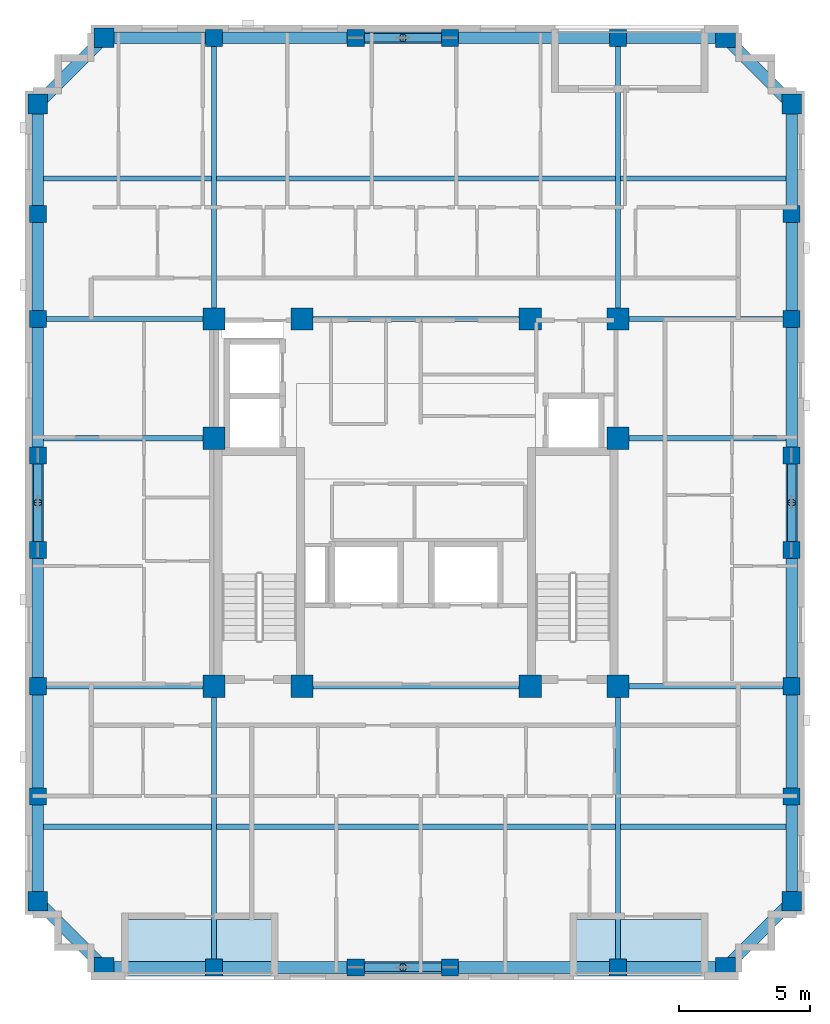
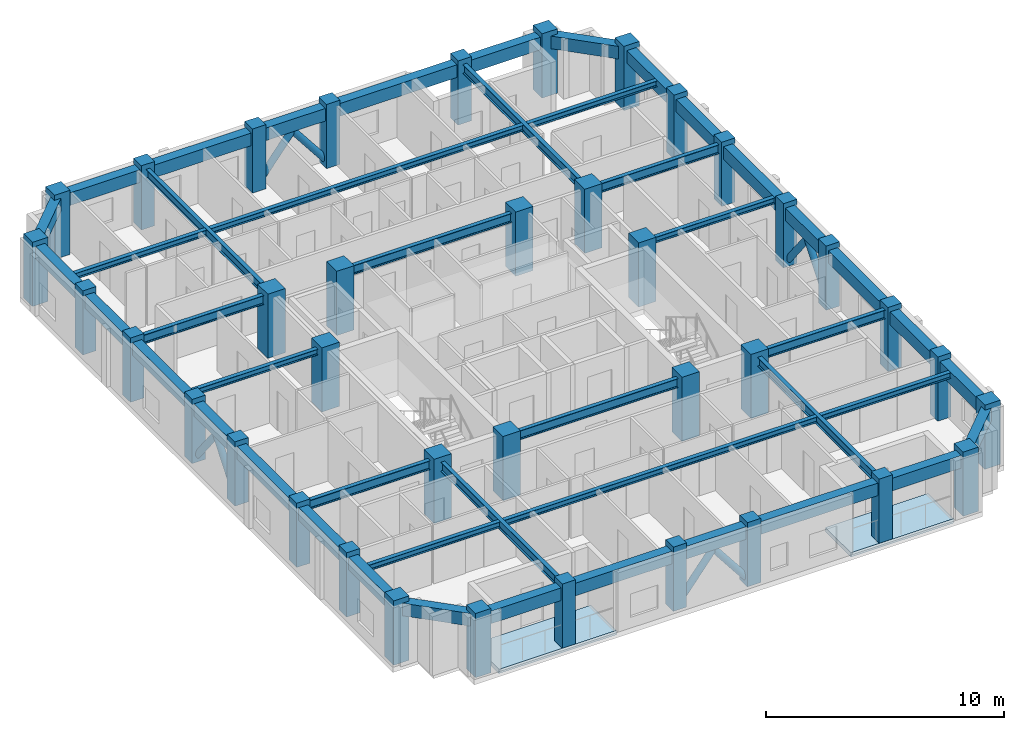
# One storey, part 1 of 11: 46 beams, 38 columns, 8 members, 2 slabs.
"""IFC4 building model written with IfcOpenShell, lengths in metres."""

from ifc_helpers import new_model, si_unit, derived_unit, direction, frame, origin, origin_2d, place, context, subcontext, project, spatial, polyline, rectangle, hollow_circle, i_section, outline, extrude, material, layer, layer_set, material_profile, profile_set, type_object, element, save


model = new_model("IFC4")

# Units and contexts
model_context = context("Model", 3, precision=1e-05, world=origin(), true_north=direction((0.0, 1.0)))
body_context = subcontext(model_context, "Body", "Model", "MODEL_VIEW")
ifc_project = project(units=[si_unit("LENGTHUNIT", "METRE"), si_unit("AREAUNIT", "SQUARE_METRE"), si_unit("VOLUMEUNIT", "CUBIC_METRE"), si_unit("PLANEANGLEUNIT", "RADIAN"), si_unit("MASSUNIT", "GRAM", prefix="KILO"), derived_unit("THERMALTRANSMITTANCEUNIT", [(si_unit("MASSUNIT", "GRAM", prefix="KILO"), 1), (si_unit("TIMEUNIT", "SECOND"), -3), (si_unit("THERMODYNAMICTEMPERATUREUNIT", "KELVIN"), -1)])], contexts=[model_context])

# Site, building, storey
site_placement = place(None, origin())
site = spatial("IfcSite", under=ifc_project, at=site_placement, CompositionType="ELEMENT")
building_placement = place(site_placement, origin())
building = spatial("IfcBuilding", under=site, at=building_placement, Name="Korrvale Station Residences", CompositionType="ELEMENT")
storey_placement = place(building_placement, frame((0.0, 0.0, 194.199951171875)))
storey = spatial("IfcBuildingStorey", under=building, at=storey_placement, Name="L56", CompositionType="ELEMENT", Elevation=194.199951171875)

# Columns
ifc_material_1 = material(Name="Concrete C50/60", Category="concrete")
ifc_material_profile_1 = material_profile(ifc_material_1, rectangle(XDim=0.64990234375, YDim=0.64990234375, at=origin_2d()), Name="RC650x650")
ifc_profile_set_1 = profile_set([ifc_material_profile_1], Name="Concrete C50/60")
column_type_1 = type_object("IfcColumnType", Name="COL-C-RC650x650-C5060", PredefinedType="COLUMN", material=ifc_profile_set_1)
for number, where, z_axis, x_axis, name in (
    (1, (17.800048828125, 4.280029296875, 0.0), (0.0, 0.0, 1.0), (1.0, 0.0, 0.0), "L56 Bundled-Tube South Column 02"),
    (2, (23.199951171875, 4.280029296875, 0.0), (0.0, 0.0, 1.0), (1.0, 0.0, 0.0), "L56 Bundled-Tube South Column 03"),
    (3, (26.800048828125, 4.280029296875, 0.0), (0.0, 0.0, 1.0), (1.0, 0.0, 0.0), "L56 Bundled-Tube South Column 04"),
    (4, (33.199951171875, 4.280029296875, 0.0), (0.0, 0.0, 1.0), (1.0, 0.0, 0.0), "L56 Bundled-Tube South Column 05"),
    (5, (17.800048828125, 39.719970703125, 0.0), (0.0, 0.0, 1.0), (1.0, 0.0, 0.0), "L56 Bundled-Tube North Column 08"),
    (6, (23.199951171875, 39.719970703125, 0.0), (0.0, 0.0, 1.0), (1.0, 0.0, 0.0), "L56 Bundled-Tube North Column 09"),
    (7, (26.800048828125, 39.719970703125, 0.0), (0.0, 0.0, 1.0), (1.0, 0.0, 0.0), "L56 Bundled-Tube North Column 10"),
    (8, (33.199951171875, 39.719970703125, 0.0), (0.0, 0.0, 1.0), (1.0, 0.0, 0.0), "L56 Bundled-Tube North Column 11"),
    (9, (11.080078125, 10.800048828125, 0.0), (0.0, 0.0, 1.0), (1.0, 0.0, 0.0), "L56 Bundled-Tube West Column 14"),
    (10, (11.080078125, 15.0, 0.0), (0.0, 0.0, 1.0), (1.0, 0.0, 0.0), "L56 Bundled-Tube West Column 15"),
    (11, (11.080078125, 20.199951171875, 0.0), (0.0, 0.0, 1.0), (1.0, 0.0, 0.0), "L56 Bundled-Tube West Column 16"),
    (12, (11.080078125, 23.800048828125, 0.0), (0.0, 0.0, 1.0), (1.0, 0.0, 0.0), "L56 Bundled-Tube West Column 17"),
    (13, (11.080078125, 29.0, 0.0), (0.0, 0.0, 1.0), (1.0, 0.0, 0.0), "L56 Bundled-Tube West Column 18"),
    (14, (11.080078125, 33.0, 0.0), (0.0, 0.0, 1.0), (1.0, 0.0, 0.0), "L56 Bundled-Tube West Column 19"),
    (15, (39.820068359375, 10.800048828125, 0.0), (0.0, 0.0, 1.0), (1.0, 0.0, 0.0), "L56 Bundled-Tube East Column 22"),
    (16, (39.820068359375, 15.0, 0.0), (0.0, 0.0, 1.0), (1.0, 0.0, 0.0), "L56 Bundled-Tube East Column 23"),
    (17, (39.820068359375, 20.199951171875, 0.0), (0.0, 0.0, 1.0), (1.0, 0.0, 0.0), "L56 Bundled-Tube East Column 24"),
    (18, (39.820068359375, 23.800048828125, 0.0), (0.0, 0.0, 1.0), (1.0, 0.0, 0.0), "L56 Bundled-Tube East Column 25"),
    (19, (39.820068359375, 29.0, 0.0), (0.0, 0.0, 1.0), (1.0, 0.0, 0.0), "L56 Bundled-Tube East Column 26"),
    (20, (39.820068359375, 33.0, 0.0), (0.0, 0.0, 1.0), (1.0, 0.0, 0.0), "L56 Bundled-Tube East Column 27"),
):
    element("IfcColumn", number, at=place(storey_placement, frame(where, z_axis=z_axis, x_axis=x_axis)), inside=storey, type_object=column_type_1, Name=name, PredefinedType="COLUMN", context=body_context, shape_type="SweptSolid", body=[
        extrude(rectangle(XDim=0.64990234375, YDim=0.64990234375, at=origin_2d()), origin(), (0.0, 0.0, 1.0), 3.300048828125),
    ])
ifc_material_profile_2 = material_profile(ifc_material_1, rectangle(XDim=0.75, YDim=0.75, at=origin_2d()), Name="RC750x750")
ifc_profile_set_2 = profile_set([ifc_material_profile_2], Name="Concrete C50/60")
column_type_2 = type_object("IfcColumnType", Name="COL-C-RC750x750-C5060", PredefinedType="COLUMN", material=ifc_profile_set_2)
for number, where, z_axis, x_axis, name in (
    (21, (13.60009765625, 4.280029296875, 0.0), (0.0, 0.0, 1.0), (1.0, 0.0, 0.0), "L56 Bundled-Tube South Column 01"),
    (22, (37.300048828125, 4.280029296875, 0.0), (0.0, 0.0, 1.0), (1.0, 0.0, 0.0), "L56 Bundled-Tube South Column 06"),
    (23, (13.60009765625, 39.719970703125, 0.0), (0.0, 0.0, 1.0), (1.0, 0.0, 0.0), "L56 Bundled-Tube North Column 07"),
    (24, (37.300048828125, 39.719970703125, 0.0), (0.0, 0.0, 1.0), (1.0, 0.0, 0.0), "L56 Bundled-Tube North Column 12"),
    (25, (11.080078125, 6.800048828125, 0.0), (0.0, 0.0, 1.0), (1.0, 0.0, 0.0), "L56 Bundled-Tube West Column 13"),
    (26, (11.080078125, 37.199951171875, 0.0), (0.0, 0.0, 1.0), (1.0, 0.0, 0.0), "L56 Bundled-Tube West Column 20"),
    (27, (39.820068359375, 6.800048828125, 0.0), (0.0, 0.0, 1.0), (1.0, 0.0, 0.0), "L56 Bundled-Tube East Column 21"),
    (28, (39.820068359375, 37.199951171875, 0.0), (0.0, 0.0, 1.0), (1.0, 0.0, 0.0), "L56 Bundled-Tube East Column 28"),
):
    element("IfcColumn", number, at=place(storey_placement, frame(where, z_axis=z_axis, x_axis=x_axis)), inside=storey, type_object=column_type_2, Name=name, PredefinedType="COLUMN", context=body_context, shape_type="SweptSolid", body=[
        extrude(rectangle(XDim=0.75, YDim=0.75, at=origin_2d()), origin(), (0.0, 0.0, 1.0), 3.300048828125),
    ])
ifc_material_profile_3 = material_profile(ifc_material_1, rectangle(XDim=0.85009765625, YDim=0.85009765625, at=origin_2d()), Name="RC850x850")
ifc_profile_set_3 = profile_set([ifc_material_profile_3], Name="Concrete C50/60")
column_type_3 = type_object("IfcColumnType", Name="COL-C-RC850x850-C5060", PredefinedType="COLUMN", material=ifc_profile_set_3)
for number, where, z_axis, x_axis, name in (
    (29, (17.800048828125, 15.0, 0.0), (0.0, 0.0, 1.0), (1.0, 0.0, 0.0), "L56 Core Column 01"),
    (30, (21.14990234375, 15.0, 0.0), (0.0, 0.0, 1.0), (1.0, 0.0, 0.0), "L56 Core Column 02"),
    (31, (29.85009765625, 15.0, 0.0), (0.0, 0.0, 1.0), (1.0, 0.0, 0.0), "L56 Core Column 03"),
    (32, (33.199951171875, 15.0, 0.0), (0.0, 0.0, 1.0), (1.0, 0.0, 0.0), "L56 Core Column 04"),
    (33, (17.800048828125, 29.0, 0.0), (0.0, 0.0, 1.0), (1.0, 0.0, 0.0), "L56 Core Column 05"),
    (34, (21.14990234375, 29.0, 0.0), (0.0, 0.0, 1.0), (1.0, 0.0, 0.0), "L56 Core Column 06"),
    (35, (29.85009765625, 29.0, 0.0), (0.0, 0.0, 1.0), (1.0, 0.0, 0.0), "L56 Core Column 07"),
    (36, (33.199951171875, 29.0, 0.0), (0.0, 0.0, 1.0), (1.0, 0.0, 0.0), "L56 Core Column 08"),
    (37, (17.800048828125, 24.449951171875, 0.0), (0.0, 0.0, 1.0), (1.0, 0.0, 0.0), "L56 Core Column 09"),
    (38, (33.199951171875, 24.449951171875, 0.0), (0.0, 0.0, 1.0), (1.0, 0.0, 0.0), "L56 Core Column 10"),
):
    element("IfcColumn", number, at=place(storey_placement, frame(where, z_axis=z_axis, x_axis=x_axis)), inside=storey, type_object=column_type_3, Name=name, PredefinedType="COLUMN", context=body_context, shape_type="SweptSolid", body=[
        extrude(rectangle(XDim=0.85009765625, YDim=0.85009765625, at=origin_2d()), origin(), (0.0, 0.0, 1.0), 3.300048828125),
    ])

# Beams
ifc_material_2 = material(Name="Steel S355", Category="steel")
ifc_material_profile_4 = material_profile(ifc_material_2, i_section(OverallWidth=0.194091796875, OverallDepth=0.468994140625, WebThickness=0.0126953125, FlangeThickness=0.0205078125, FilletRadius=0.01611328125, at=origin_2d()), Name="W460x106")
ifc_profile_set_4 = profile_set([ifc_material_profile_4], Name="Steel S355")
beam_type_1 = type_object("IfcBeamType", Name="BM-BM-W460x106-S355", PredefinedType="BEAM", material=ifc_profile_set_4)
for number, where, z_axis, x_axis, name in (
    (39, (17.800048828125, 4.280029296875, 2.8056640625), (0.0, 1.0, 0.0), (-1.0, 0.0, 0.0), "L56 Bundled-Tube Web Girder 01"),
    (40, (33.199951171875, 4.280029296875, 2.8056640625), (0.0, 1.0, 0.0), (-1.0, 0.0, 0.0), "L56 Bundled-Tube Web Girder 02"),
    (41, (17.800048828125, 29.0, 2.8056640625), (0.0, 1.0, 0.0), (-1.0, 0.0, 0.0), "L56 Bundled-Tube Web Girder 03"),
    (42, (33.199951171875, 29.0, 2.8056640625), (0.0, 1.0, 0.0), (-1.0, 0.0, 0.0), "L56 Bundled-Tube Web Girder 04"),
):
    element("IfcBeam", number, at=place(storey_placement, frame(where, z_axis=z_axis, x_axis=x_axis)), inside=storey, type_object=beam_type_1, Name=name, PredefinedType="BEAM", context=body_context, shape_type="SweptSolid", body=[
        extrude(i_section(OverallWidth=0.194091796875, OverallDepth=0.468994140625, WebThickness=0.0126953125, FlangeThickness=0.0205078125, FilletRadius=0.01611328125, at=origin_2d()), origin(), (0.0, 0.0, 1.0), 10.719970703125),
    ])
beam_1_placement = place(storey_placement, frame((11.080078125, 15.0, 2.8056640625), z_axis=(1.0, 0.0, 0.0), x_axis=(0.0, 1.0, 0.0)))
element("IfcBeam", 43, at=beam_1_placement, inside=storey, type_object=beam_type_1, Name="L56 Bundled-Tube Web Girder 05", PredefinedType="BEAM", context=body_context, shape_type="SweptSolid", body=[
    extrude(i_section(OverallWidth=0.194091796875, OverallDepth=0.468994140625, WebThickness=0.0126953125, FlangeThickness=0.0205078125, FilletRadius=0.01611328125, at=origin_2d()), origin(), (0.0, 0.0, 1.0), 6.719970703125),
])
beam_2_placement = place(storey_placement, frame((33.199951171875, 15.0, 2.8056640625), z_axis=(1.0, 0.0, 0.0), x_axis=(0.0, 1.0, 0.0)))
element("IfcBeam", 44, at=beam_2_placement, inside=storey, type_object=beam_type_1, Name="L56 Bundled-Tube Web Girder 06", PredefinedType="BEAM", context=body_context, shape_type="SweptSolid", body=[
    extrude(i_section(OverallWidth=0.194091796875, OverallDepth=0.468994140625, WebThickness=0.0126953125, FlangeThickness=0.0205078125, FilletRadius=0.01611328125, at=origin_2d()), origin(), (0.0, 0.0, 1.0), 6.6201171875),
])
beam_3_placement = place(storey_placement, frame((11.080078125, 29.0, 2.8056640625), z_axis=(1.0, 0.0, 0.0), x_axis=(0.0, 1.0, 0.0)))
element("IfcBeam", 45, at=beam_3_placement, inside=storey, type_object=beam_type_1, Name="L56 Bundled-Tube Web Girder 07", PredefinedType="BEAM", context=body_context, shape_type="SweptSolid", body=[
    extrude(i_section(OverallWidth=0.194091796875, OverallDepth=0.468994140625, WebThickness=0.0126953125, FlangeThickness=0.0205078125, FilletRadius=0.01611328125, at=origin_2d()), origin(), (0.0, 0.0, 1.0), 6.719970703125),
])
beam_4_placement = place(storey_placement, frame((33.199951171875, 29.0, 2.8056640625), z_axis=(1.0, 0.0, 0.0), x_axis=(0.0, 1.0, 0.0)))
element("IfcBeam", 46, at=beam_4_placement, inside=storey, type_object=beam_type_1, Name="L56 Bundled-Tube Web Girder 08", PredefinedType="BEAM", context=body_context, shape_type="SweptSolid", body=[
    extrude(i_section(OverallWidth=0.194091796875, OverallDepth=0.468994140625, WebThickness=0.0126953125, FlangeThickness=0.0205078125, FilletRadius=0.01611328125, at=origin_2d()), origin(), (0.0, 0.0, 1.0), 6.6201171875),
])
for number, where, z_axis, x_axis, name in (
    (47, (21.14990234375, 15.0, 2.8056640625), (1.0, 0.0, 0.0), (0.0, 1.0, 0.0), "L56 Bundled-Tube Web Girder 09"),
    (48, (21.14990234375, 29.0, 2.8056640625), (1.0, 0.0, 0.0), (0.0, 1.0, 0.0), "L56 Bundled-Tube Web Girder 10"),
):
    element("IfcBeam", number, at=place(storey_placement, frame(where, z_axis=z_axis, x_axis=x_axis)), inside=storey, type_object=beam_type_1, Name=name, PredefinedType="BEAM", context=body_context, shape_type="SweptSolid", body=[
        extrude(i_section(OverallWidth=0.194091796875, OverallDepth=0.468994140625, WebThickness=0.0126953125, FlangeThickness=0.0205078125, FilletRadius=0.01611328125, at=origin_2d()), origin(), (0.0, 0.0, 1.0), 8.7001953125),
    ])
ifc_material_profile_5 = material_profile(ifc_material_2, i_section(OverallWidth=0.202880859375, OverallDepth=0.302978515625, WebThickness=0.007568359375, FlangeThickness=0.01318359375, FilletRadius=0.014892578125, at=origin_2d()), Name="W310x60")
ifc_profile_set_5 = profile_set([ifc_material_profile_5], Name="Steel S355")
beam_type_2 = type_object("IfcBeamType", Name="BM-JST-W310x60-S355", PredefinedType="JOIST", material=ifc_profile_set_5)
beam_5_placement = place(storey_placement, frame((11.304931640625, 9.639892578125, 2.888427734375), z_axis=(1.0, 0.0, 0.0), x_axis=(0.0, 1.0, 0.0)))
element("IfcBeam", 49, at=beam_5_placement, inside=storey, type_object=beam_type_2, Name="L56 Floor Framing Joist 01", PredefinedType="JOIST", context=body_context, shape_type="SweptSolid", body=[
    extrude(i_section(OverallWidth=0.202880859375, OverallDepth=0.302978515625, WebThickness=0.007568359375, FlangeThickness=0.01318359375, FilletRadius=0.014892578125, at=origin_2d()), origin(), (0.0, 0.0, 1.0), 6.39794921875),
])
beam_6_placement = place(storey_placement, frame((17.89697265625, 9.639892578125, 2.888427734375), z_axis=(1.0, 0.0, 0.0), x_axis=(0.0, 1.0, 0.0)))
element("IfcBeam", 50, at=beam_6_placement, inside=storey, type_object=beam_type_2, Name="L56 Floor Framing Joist 02", PredefinedType="JOIST", context=body_context, shape_type="SweptSolid", body=[
    extrude(i_section(OverallWidth=0.202880859375, OverallDepth=0.302978515625, WebThickness=0.007568359375, FlangeThickness=0.01318359375, FilletRadius=0.014892578125, at=origin_2d()), origin(), (0.0, 0.0, 1.0), 15.2060546875),
])
beam_7_placement = place(storey_placement, frame((33.297119140625, 9.639892578125, 2.888427734375), z_axis=(1.0, 0.0, 0.0), x_axis=(0.0, 1.0, 0.0)))
element("IfcBeam", 51, at=beam_7_placement, inside=storey, type_object=beam_type_2, Name="L56 Floor Framing Joist 03", PredefinedType="JOIST", context=body_context, shape_type="SweptSolid", body=[
    extrude(i_section(OverallWidth=0.202880859375, OverallDepth=0.302978515625, WebThickness=0.007568359375, FlangeThickness=0.01318359375, FilletRadius=0.014892578125, at=origin_2d()), origin(), (0.0, 0.0, 1.0), 6.2978515625),
])
beam_8_placement = place(storey_placement, frame((11.304931640625, 34.360107421875, 2.888427734375), z_axis=(1.0, 0.0, 0.0), x_axis=(0.0, 1.0, 0.0)))
element("IfcBeam", 52, at=beam_8_placement, inside=storey, type_object=beam_type_2, Name="L56 Floor Framing Joist 04", PredefinedType="JOIST", context=body_context, shape_type="SweptSolid", body=[
    extrude(i_section(OverallWidth=0.202880859375, OverallDepth=0.302978515625, WebThickness=0.007568359375, FlangeThickness=0.01318359375, FilletRadius=0.014892578125, at=origin_2d()), origin(), (0.0, 0.0, 1.0), 6.39794921875),
])
beam_9_placement = place(storey_placement, frame((17.89697265625, 34.360107421875, 2.888427734375), z_axis=(1.0, 0.0, 0.0), x_axis=(0.0, 1.0, 0.0)))
element("IfcBeam", 53, at=beam_9_placement, inside=storey, type_object=beam_type_2, Name="L56 Floor Framing Joist 05", PredefinedType="JOIST", context=body_context, shape_type="SweptSolid", body=[
    extrude(i_section(OverallWidth=0.202880859375, OverallDepth=0.302978515625, WebThickness=0.007568359375, FlangeThickness=0.01318359375, FilletRadius=0.014892578125, at=origin_2d()), origin(), (0.0, 0.0, 1.0), 15.2060546875),
])
beam_10_placement = place(storey_placement, frame((33.297119140625, 34.360107421875, 2.888427734375), z_axis=(1.0, 0.0, 0.0), x_axis=(0.0, 1.0, 0.0)))
element("IfcBeam", 54, at=beam_10_placement, inside=storey, type_object=beam_type_2, Name="L56 Floor Framing Joist 06", PredefinedType="JOIST", context=body_context, shape_type="SweptSolid", body=[
    extrude(i_section(OverallWidth=0.202880859375, OverallDepth=0.302978515625, WebThickness=0.007568359375, FlangeThickness=0.01318359375, FilletRadius=0.014892578125, at=origin_2d()), origin(), (0.0, 0.0, 1.0), 6.2978515625),
])
beam_11_placement = place(storey_placement, frame((33.199951171875, 24.449951171875, 2.888427734375), z_axis=(1.0, 0.0, 0.0), x_axis=(0.0, 1.0, 0.0)))
element("IfcBeam", 55, at=beam_11_placement, inside=storey, type_object=beam_type_2, Name="L56 Floor Framing Joist 07", PredefinedType="JOIST", context=body_context, shape_type="SweptSolid", body=[
    extrude(i_section(OverallWidth=0.202880859375, OverallDepth=0.302978515625, WebThickness=0.007568359375, FlangeThickness=0.01318359375, FilletRadius=0.014892578125, at=origin_2d()), origin(), (0.0, 0.0, 1.0), 6.39501953125),
])
beam_12_placement = place(storey_placement, frame((11.304931640625, 24.449951171875, 2.888427734375), z_axis=(1.0, 0.0, 0.0), x_axis=(0.0, 1.0, 0.0)))
element("IfcBeam", 56, at=beam_12_placement, inside=storey, type_object=beam_type_2, Name="L56 Floor Framing Joist 08", PredefinedType="JOIST", context=body_context, shape_type="SweptSolid", body=[
    extrude(i_section(OverallWidth=0.202880859375, OverallDepth=0.302978515625, WebThickness=0.007568359375, FlangeThickness=0.01318359375, FilletRadius=0.014892578125, at=origin_2d()), origin(), (0.0, 0.0, 1.0), 6.4951171875),
])
ifc_material_profile_6 = material_profile(ifc_material_1, rectangle(XDim=0.449951171875, YDim=0.64990234375, at=origin_2d()), Name="RCB450x650")
ifc_profile_set_6 = profile_set([ifc_material_profile_6], Name="Concrete C50/60")
beam_type_3 = type_object("IfcBeamType", Name="BM-SPB-RCB450x650-C5060", PredefinedType="SPANDREL", material=ifc_profile_set_6)
beam_13_placement = place(storey_placement, frame((13.60009765625, 4.280029296875, 2.715087890625), z_axis=(1.0, 0.0, 0.0), x_axis=(0.0, 1.0, 0.0)))
element("IfcBeam", 57, at=beam_13_placement, inside=storey, type_object=beam_type_3, Name="L56 South Tube Spandrel 01", PredefinedType="SPANDREL", context=body_context, shape_type="SweptSolid", body=[
    extrude(rectangle(XDim=0.449951171875, YDim=0.64990234375, at=origin_2d()), origin(), (0.0, 0.0, 1.0), 4.199951171875),
])
beam_14_placement = place(storey_placement, frame((17.800048828125, 4.280029296875, 2.715087890625), z_axis=(1.0, 0.0, 0.0), x_axis=(0.0, 1.0, 0.0)))
element("IfcBeam", 58, at=beam_14_placement, inside=storey, type_object=beam_type_3, Name="L56 South Tube Spandrel 02", PredefinedType="SPANDREL", context=body_context, shape_type="SweptSolid", body=[
    extrude(rectangle(XDim=0.449951171875, YDim=0.64990234375, at=origin_2d()), origin(), (0.0, 0.0, 1.0), 5.39990234375),
])
beam_15_placement = place(storey_placement, frame((23.199951171875, 4.280029296875, 2.715087890625), z_axis=(1.0, 0.0, 0.0), x_axis=(0.0, 1.0, 0.0)))
element("IfcBeam", 59, at=beam_15_placement, inside=storey, type_object=beam_type_3, Name="L56 South Tube Spandrel 03", PredefinedType="SPANDREL", context=body_context, shape_type="SweptSolid", body=[
    extrude(rectangle(XDim=0.449951171875, YDim=0.64990234375, at=origin_2d()), origin(), (0.0, 0.0, 1.0), 3.60009765625),
])
beam_16_placement = place(storey_placement, frame((26.800048828125, 4.280029296875, 2.715087890625), z_axis=(1.0, 0.0, 0.0), x_axis=(0.0, 1.0, 0.0)))
element("IfcBeam", 60, at=beam_16_placement, inside=storey, type_object=beam_type_3, Name="L56 South Tube Spandrel 04", PredefinedType="SPANDREL", context=body_context, shape_type="SweptSolid", body=[
    extrude(rectangle(XDim=0.449951171875, YDim=0.64990234375, at=origin_2d()), origin(), (0.0, 0.0, 1.0), 6.39990234375),
])
beam_17_placement = place(storey_placement, frame((33.199951171875, 4.280029296875, 2.715087890625), z_axis=(1.0, 0.0, 0.0), x_axis=(0.0, 1.0, 0.0)))
element("IfcBeam", 61, at=beam_17_placement, inside=storey, type_object=beam_type_3, Name="L56 South Tube Spandrel 05", PredefinedType="SPANDREL", context=body_context, shape_type="SweptSolid", body=[
    extrude(rectangle(XDim=0.449951171875, YDim=0.64990234375, at=origin_2d()), origin(), (0.0, 0.0, 1.0), 4.10009765625),
])
beam_18_placement = place(storey_placement, frame((13.60009765625, 39.719970703125, 2.715087890625), z_axis=(1.0, 0.0, 0.0), x_axis=(0.0, 1.0, 0.0)))
element("IfcBeam", 62, at=beam_18_placement, inside=storey, type_object=beam_type_3, Name="L56 North Tube Spandrel 06", PredefinedType="SPANDREL", context=body_context, shape_type="SweptSolid", body=[
    extrude(rectangle(XDim=0.449951171875, YDim=0.64990234375, at=origin_2d()), origin(), (0.0, 0.0, 1.0), 4.199951171875),
])
beam_19_placement = place(storey_placement, frame((17.800048828125, 39.719970703125, 2.715087890625), z_axis=(1.0, 0.0, 0.0), x_axis=(0.0, 1.0, 0.0)))
element("IfcBeam", 63, at=beam_19_placement, inside=storey, type_object=beam_type_3, Name="L56 North Tube Spandrel 07", PredefinedType="SPANDREL", context=body_context, shape_type="SweptSolid", body=[
    extrude(rectangle(XDim=0.449951171875, YDim=0.64990234375, at=origin_2d()), origin(), (0.0, 0.0, 1.0), 5.39990234375),
])
beam_20_placement = place(storey_placement, frame((23.199951171875, 39.719970703125, 2.715087890625), z_axis=(1.0, 0.0, 0.0), x_axis=(0.0, 1.0, 0.0)))
element("IfcBeam", 64, at=beam_20_placement, inside=storey, type_object=beam_type_3, Name="L56 North Tube Spandrel 08", PredefinedType="SPANDREL", context=body_context, shape_type="SweptSolid", body=[
    extrude(rectangle(XDim=0.449951171875, YDim=0.64990234375, at=origin_2d()), origin(), (0.0, 0.0, 1.0), 3.60009765625),
])
beam_21_placement = place(storey_placement, frame((26.800048828125, 39.719970703125, 2.715087890625), z_axis=(1.0, 0.0, 0.0), x_axis=(0.0, 1.0, 0.0)))
element("IfcBeam", 65, at=beam_21_placement, inside=storey, type_object=beam_type_3, Name="L56 North Tube Spandrel 09", PredefinedType="SPANDREL", context=body_context, shape_type="SweptSolid", body=[
    extrude(rectangle(XDim=0.449951171875, YDim=0.64990234375, at=origin_2d()), origin(), (0.0, 0.0, 1.0), 6.39990234375),
])
beam_22_placement = place(storey_placement, frame((33.199951171875, 39.719970703125, 2.715087890625), z_axis=(1.0, 0.0, 0.0), x_axis=(0.0, 1.0, 0.0)))
element("IfcBeam", 66, at=beam_22_placement, inside=storey, type_object=beam_type_3, Name="L56 North Tube Spandrel 10", PredefinedType="SPANDREL", context=body_context, shape_type="SweptSolid", body=[
    extrude(rectangle(XDim=0.449951171875, YDim=0.64990234375, at=origin_2d()), origin(), (0.0, 0.0, 1.0), 4.10009765625),
])
beam_23_placement = place(storey_placement, frame((11.080078125, 6.800048828125, 2.715087890625), z_axis=(0.0, 1.0, 0.0), x_axis=(-1.0, 0.0, 0.0)))
element("IfcBeam", 67, at=beam_23_placement, inside=storey, type_object=beam_type_3, Name="L56 West Tube Spandrel 11", PredefinedType="SPANDREL", context=body_context, shape_type="SweptSolid", body=[
    extrude(rectangle(XDim=0.449951171875, YDim=0.64990234375, at=origin_2d()), origin(), (0.0, 0.0, 1.0), 4.0),
])
beam_24_placement = place(storey_placement, frame((11.080078125, 10.800048828125, 2.715087890625), z_axis=(0.0, 1.0, 0.0), x_axis=(-1.0, 0.0, 0.0)))
element("IfcBeam", 68, at=beam_24_placement, inside=storey, type_object=beam_type_3, Name="L56 West Tube Spandrel 12", PredefinedType="SPANDREL", context=body_context, shape_type="SweptSolid", body=[
    extrude(rectangle(XDim=0.449951171875, YDim=0.64990234375, at=origin_2d()), origin(), (0.0, 0.0, 1.0), 4.199951171875),
])
beam_25_placement = place(storey_placement, frame((11.080078125, 15.0, 2.715087890625), z_axis=(0.0, 1.0, 0.0), x_axis=(-1.0, 0.0, 0.0)))
element("IfcBeam", 69, at=beam_25_placement, inside=storey, type_object=beam_type_3, Name="L56 West Tube Spandrel 13", PredefinedType="SPANDREL", context=body_context, shape_type="SweptSolid", body=[
    extrude(rectangle(XDim=0.449951171875, YDim=0.64990234375, at=origin_2d()), origin(), (0.0, 0.0, 1.0), 5.199951171875),
])
beam_26_placement = place(storey_placement, frame((11.080078125, 20.199951171875, 2.715087890625), z_axis=(0.0, 1.0, 0.0), x_axis=(-1.0, 0.0, 0.0)))
element("IfcBeam", 70, at=beam_26_placement, inside=storey, type_object=beam_type_3, Name="L56 West Tube Spandrel 14", PredefinedType="SPANDREL", context=body_context, shape_type="SweptSolid", body=[
    extrude(rectangle(XDim=0.449951171875, YDim=0.64990234375, at=origin_2d()), origin(), (0.0, 0.0, 1.0), 3.60009765625),
])
beam_27_placement = place(storey_placement, frame((11.080078125, 23.800048828125, 2.715087890625), z_axis=(0.0, 1.0, 0.0), x_axis=(-1.0, 0.0, 0.0)))
element("IfcBeam", 71, at=beam_27_placement, inside=storey, type_object=beam_type_3, Name="L56 West Tube Spandrel 15", PredefinedType="SPANDREL", context=body_context, shape_type="SweptSolid", body=[
    extrude(rectangle(XDim=0.449951171875, YDim=0.64990234375, at=origin_2d()), origin(), (0.0, 0.0, 1.0), 5.199951171875),
])
beam_28_placement = place(storey_placement, frame((11.080078125, 29.0, 2.715087890625), z_axis=(0.0, 1.0, 0.0), x_axis=(-1.0, 0.0, 0.0)))
element("IfcBeam", 72, at=beam_28_placement, inside=storey, type_object=beam_type_3, Name="L56 West Tube Spandrel 16", PredefinedType="SPANDREL", context=body_context, shape_type="SweptSolid", body=[
    extrude(rectangle(XDim=0.449951171875, YDim=0.64990234375, at=origin_2d()), origin(), (0.0, 0.0, 1.0), 4.0),
])
beam_29_placement = place(storey_placement, frame((11.080078125, 33.0, 2.715087890625), z_axis=(0.0, 1.0, 0.0), x_axis=(-1.0, 0.0, 0.0)))
element("IfcBeam", 73, at=beam_29_placement, inside=storey, type_object=beam_type_3, Name="L56 West Tube Spandrel 17", PredefinedType="SPANDREL", context=body_context, shape_type="SweptSolid", body=[
    extrude(rectangle(XDim=0.449951171875, YDim=0.64990234375, at=origin_2d()), origin(), (0.0, 0.0, 1.0), 4.199951171875),
])
beam_30_placement = place(storey_placement, frame((39.820068359375, 6.800048828125, 2.715087890625), z_axis=(0.0, 1.0, 0.0), x_axis=(-1.0, 0.0, 0.0)))
element("IfcBeam", 74, at=beam_30_placement, inside=storey, type_object=beam_type_3, Name="L56 East Tube Spandrel 18", PredefinedType="SPANDREL", context=body_context, shape_type="SweptSolid", body=[
    extrude(rectangle(XDim=0.449951171875, YDim=0.64990234375, at=origin_2d()), origin(), (0.0, 0.0, 1.0), 4.0),
])
beam_31_placement = place(storey_placement, frame((39.820068359375, 10.800048828125, 2.715087890625), z_axis=(0.0, 1.0, 0.0), x_axis=(-1.0, 0.0, 0.0)))
element("IfcBeam", 75, at=beam_31_placement, inside=storey, type_object=beam_type_3, Name="L56 East Tube Spandrel 19", PredefinedType="SPANDREL", context=body_context, shape_type="SweptSolid", body=[
    extrude(rectangle(XDim=0.449951171875, YDim=0.64990234375, at=origin_2d()), origin(), (0.0, 0.0, 1.0), 4.199951171875),
])
beam_32_placement = place(storey_placement, frame((39.820068359375, 15.0, 2.715087890625), z_axis=(0.0, 1.0, 0.0), x_axis=(-1.0, 0.0, 0.0)))
element("IfcBeam", 76, at=beam_32_placement, inside=storey, type_object=beam_type_3, Name="L56 East Tube Spandrel 20", PredefinedType="SPANDREL", context=body_context, shape_type="SweptSolid", body=[
    extrude(rectangle(XDim=0.449951171875, YDim=0.64990234375, at=origin_2d()), origin(), (0.0, 0.0, 1.0), 5.199951171875),
])
beam_33_placement = place(storey_placement, frame((39.820068359375, 20.199951171875, 2.715087890625), z_axis=(0.0, 1.0, 0.0), x_axis=(-1.0, 0.0, 0.0)))
element("IfcBeam", 77, at=beam_33_placement, inside=storey, type_object=beam_type_3, Name="L56 East Tube Spandrel 21", PredefinedType="SPANDREL", context=body_context, shape_type="SweptSolid", body=[
    extrude(rectangle(XDim=0.449951171875, YDim=0.64990234375, at=origin_2d()), origin(), (0.0, 0.0, 1.0), 3.60009765625),
])
beam_34_placement = place(storey_placement, frame((39.820068359375, 23.800048828125, 2.715087890625), z_axis=(0.0, 1.0, 0.0), x_axis=(-1.0, 0.0, 0.0)))
element("IfcBeam", 78, at=beam_34_placement, inside=storey, type_object=beam_type_3, Name="L56 East Tube Spandrel 22", PredefinedType="SPANDREL", context=body_context, shape_type="SweptSolid", body=[
    extrude(rectangle(XDim=0.449951171875, YDim=0.64990234375, at=origin_2d()), origin(), (0.0, 0.0, 1.0), 5.199951171875),
])
beam_35_placement = place(storey_placement, frame((39.820068359375, 29.0, 2.715087890625), z_axis=(0.0, 1.0, 0.0), x_axis=(-1.0, 0.0, 0.0)))
element("IfcBeam", 79, at=beam_35_placement, inside=storey, type_object=beam_type_3, Name="L56 East Tube Spandrel 23", PredefinedType="SPANDREL", context=body_context, shape_type="SweptSolid", body=[
    extrude(rectangle(XDim=0.449951171875, YDim=0.64990234375, at=origin_2d()), origin(), (0.0, 0.0, 1.0), 4.0),
])
beam_36_placement = place(storey_placement, frame((39.820068359375, 33.0, 2.715087890625), z_axis=(0.0, 1.0, 0.0), x_axis=(-1.0, 0.0, 0.0)))
element("IfcBeam", 80, at=beam_36_placement, inside=storey, type_object=beam_type_3, Name="L56 East Tube Spandrel 24", PredefinedType="SPANDREL", context=body_context, shape_type="SweptSolid", body=[
    extrude(rectangle(XDim=0.449951171875, YDim=0.64990234375, at=origin_2d()), origin(), (0.0, 0.0, 1.0), 4.199951171875),
])
for number, where, z_axis, x_axis, name in (
    (81, (13.60009765625, 4.280029296875, 2.715087890625), (-0.707106781187, 0.707106781187, 0.0), (-0.707106781187, -0.707106781187, 0.0), "L56 Serrated Corner Spandrel 25"),
    (82, (37.300048828125, 4.280029296875, 2.715087890625), (0.707106781187, 0.707106781187, 0.0), (-0.707106781187, 0.707106781187, 0.0), "L56 Serrated Corner Spandrel 26"),
    (83, (37.300048828125, 39.719970703125, 2.715087890625), (0.707106781187, -0.707106781187, 0.0), (0.707106781187, 0.707106781187, 0.0), "L56 Serrated Corner Spandrel 27"),
    (84, (13.60009765625, 39.719970703125, 2.715087890625), (-0.707106781187, -0.707106781187, 0.0), (0.707106781187, -0.707106781187, 0.0), "L56 Serrated Corner Spandrel 28"),
):
    element("IfcBeam", number, at=place(storey_placement, frame(where, z_axis=z_axis, x_axis=x_axis)), inside=storey, type_object=beam_type_3, Name=name, PredefinedType="SPANDREL", context=body_context, shape_type="SweptSolid", body=[
        extrude(rectangle(XDim=0.449951171875, YDim=0.64990234375, at=origin_2d()), origin(), (0.0, 0.0, 1.0), 3.56396484375),
    ])

# Members
ifc_material_profile_7 = material_profile(ifc_material_2, hollow_circle(Radius=0.161865234375, WallThickness=0.015869140625, at=origin_2d()), Name="HSS324x16")
ifc_profile_set_7 = profile_set([ifc_material_profile_7], Name="Steel S355")
member_type = type_object("IfcMemberType", Name="MBR-BR-HSS324x16", PredefinedType="BRACE", material=ifc_profile_set_7)
for number, where, z_axis, x_axis, name in (
    (85, (23.199951171875, 4.280029296875, 0.02001953125), (0.617977009695, 0.0, 0.786196168579), (0.0, 1.0, 0.0), "L56 S Perimeter Tube Wind Brace 1"),
    (86, (26.800048828125, 4.280029296875, 0.02001953125), (-0.617977009695, 0.0, 0.786196168579), (0.0, -1.0, 0.0), "L56 S Perimeter Tube Wind Brace 2"),
    (87, (23.199951171875, 39.719970703125, 0.02001953125), (0.617977009695, 0.0, 0.786196168579), (0.0, 1.0, 0.0), "L56 N Perimeter Tube Wind Brace 1"),
    (88, (26.800048828125, 39.719970703125, 0.02001953125), (-0.617977009695, 0.0, 0.786196168579), (0.0, -1.0, 0.0), "L56 N Perimeter Tube Wind Brace 2"),
    (89, (11.080078125, 20.199951171875, 0.02001953125), (0.0, 0.617977009695, 0.786196168579), (-1.0, 0.0, 0.0), "L56 W Perimeter Tube Wind Brace 1"),
    (90, (11.080078125, 23.800048828125, 0.02001953125), (0.0, -0.617977009695, 0.786196168579), (1.0, 0.0, 0.0), "L56 W Perimeter Tube Wind Brace 2"),
    (91, (39.820068359375, 20.199951171875, 0.02001953125), (0.0, 0.617977009695, 0.786196168579), (-1.0, 0.0, 0.0), "L56 E Perimeter Tube Wind Brace 1"),
    (92, (39.820068359375, 23.800048828125, 0.02001953125), (0.0, -0.617977009695, 0.786196168579), (1.0, 0.0, 0.0), "L56 E Perimeter Tube Wind Brace 2"),
):
    element("IfcMember", number, at=place(storey_placement, frame(where, z_axis=z_axis, x_axis=x_axis)), inside=storey, type_object=member_type, Name=name, PredefinedType="BRACE", context=body_context, shape_type="SweptSolid", body=[
        extrude(hollow_circle(Radius=0.161865234375, WallThickness=0.015869140625, at=origin_2d()), origin(), (0.0, 0.0, 1.0), 2.912841796875),
    ])

# Slabs
ifc_layer = layer(ifc_material_1, 0.219970703125, Name="Concrete C50/60")
ifc_layer_set = layer_set([ifc_layer], Name="Concrete C50/60")
slab_type = type_object("IfcSlabType", Name="SLB-BAL-220", PredefinedType="FLOOR", material=ifc_layer_set)
slab_1_placement = place(storey_placement, frame((0.0, 0.0, -0.219970703125)))
element("IfcSlab", 93, at=slab_1_placement, inside=storey, type_object=slab_type, Name="L56 Recessed Loggia Balcony Slab BAL-L56-S1", PredefinedType="FLOOR", context=body_context, shape_type="SweptSolid", body=[
    extrude(outline(polyline([(14.39990234375, 3.949951171875), (20.10009765625, 3.949951171875), (20.10009765625, 6.10009765625), (14.39990234375, 6.10009765625), (14.39990234375, 3.949951171875)])), origin(), (0.0, 0.0, 1.0), 0.219970703125),
])
slab_2_placement = place(storey_placement, frame((0.0, 0.0, -0.219970703125)))
element("IfcSlab", 94, at=slab_2_placement, inside=storey, type_object=slab_type, Name="L56 Recessed Loggia Balcony Slab BAL-L56-S2", PredefinedType="FLOOR", context=body_context, shape_type="SweptSolid", body=[
    extrude(outline(polyline([(31.5, 3.949951171875), (36.5, 3.949951171875), (36.5, 6.10009765625), (31.5, 6.10009765625), (31.5, 3.949951171875)])), origin(), (0.0, 0.0, 1.0), 0.219970703125),
])

save(model, "model.ifc")
